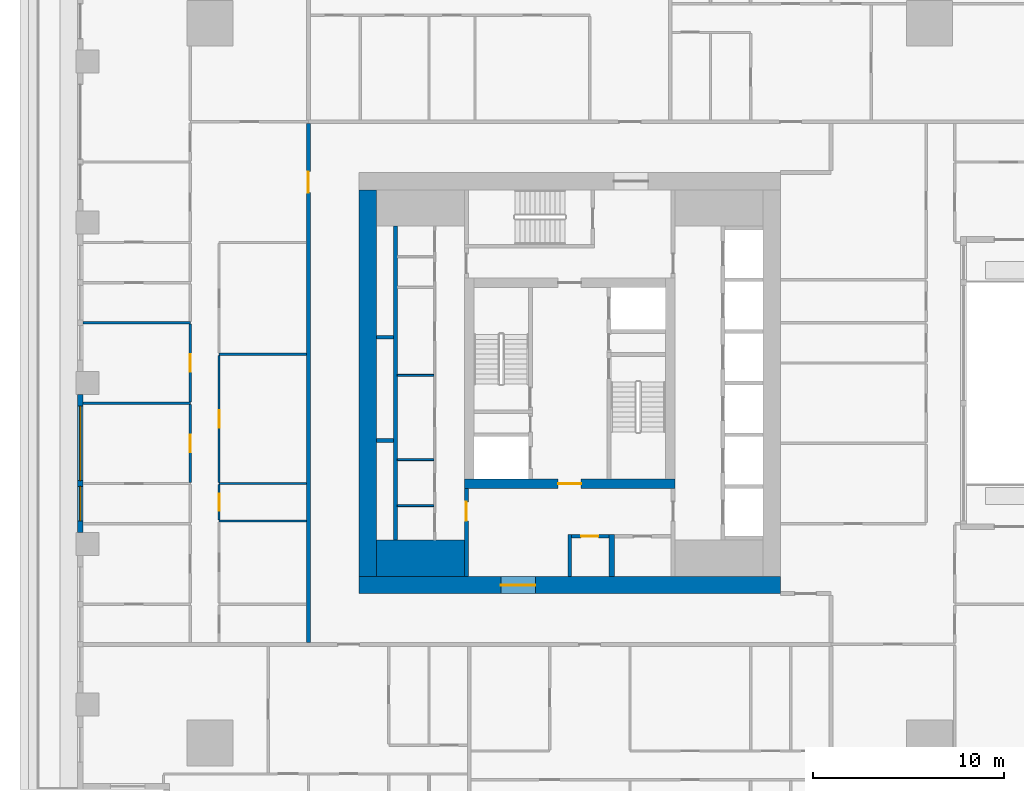
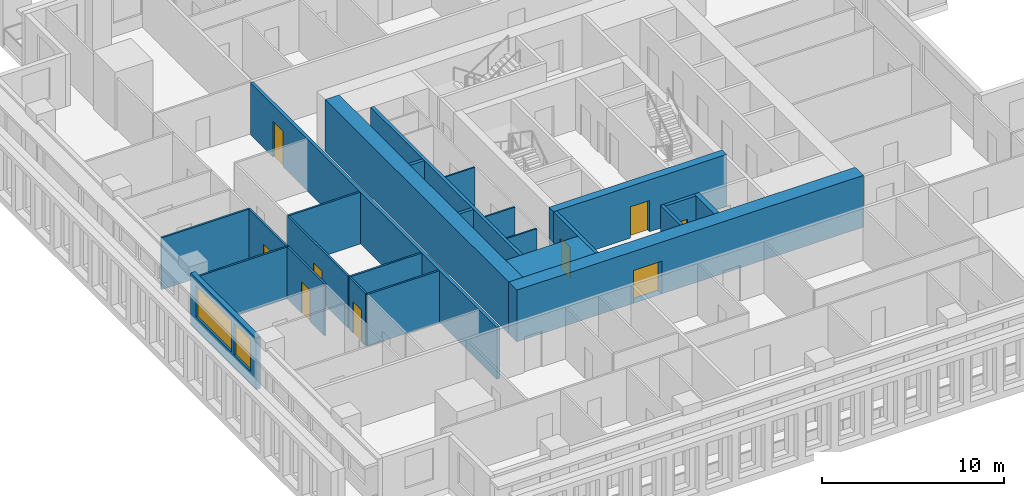
# One storey, part 3 of 16: 25 walls, 9 doors, 2 windows, 11 openings.
"""IFC4 building model written with IfcOpenShell, lengths in metres."""

from ifc_helpers import new_model, si_unit, direction, frame, frame_2d, origin, place, context, subcontext, project, spatial, rectangle, extrude, material, layer, layer_set, type_object, element, fill, save


model = new_model("IFC4")

# Units and contexts
model_context = context("Model", 3, precision=1e-05, world=origin(), true_north=direction((0.0, 1.0)))
body_context = subcontext(model_context, "Body", "Model", "MODEL_VIEW")
ifc_project = project(units=[si_unit("LENGTHUNIT", "METRE"), si_unit("AREAUNIT", "SQUARE_METRE"), si_unit("VOLUMEUNIT", "CUBIC_METRE"), si_unit("PLANEANGLEUNIT", "RADIAN"), si_unit("MASSUNIT", "GRAM", prefix="KILO")], contexts=[model_context])

# Site, building, storey
site_placement = place(None, origin())
site = spatial("IfcSite", under=ifc_project, at=site_placement, CompositionType="ELEMENT")
building_placement = place(site_placement, origin())
building = spatial("IfcBuilding", under=site, at=building_placement, Name="Khepri Terraces", CompositionType="ELEMENT")
storey_placement = place(building_placement, frame((0.0, 0.0, 204.0)))
storey = spatial("IfcBuildingStorey", under=building, at=storey_placement, Name="L48", CompositionType="ELEMENT", Elevation=204.0)

# Walls
ifc_material_1 = material(Name="Concrete C50/60", Category="concrete")
ifc_layer_1 = layer(ifc_material_1, 1.89990234375, Name="Concrete C50/60", Category="concrete")
ifc_layer_set_1 = layer_set([ifc_layer_1], Name="Concrete C50/60")
wall_type_1 = type_object("IfcWallType", Name="Core wall 1900 C50/60", PredefinedType="SHEAR", material=ifc_layer_set_1)
wall_1_placement = place(storey_placement, frame((-10.10009765625, -9.14990234375, 0.0), z_axis=(0.0, 0.0, 1.0), x_axis=(1.0, 0.0, 0.0)))
element("IfcWall", 1, at=wall_1_placement, inside=storey, type_object=wall_type_1, Name="Core wall PR01 L48", PredefinedType="SHEAR", context=body_context, shape_type="SweptSolid", body=[
    extrude(rectangle(XDim=4.60009765625, YDim=1.89990234375, at=frame_2d((2.300048828125, 0.0))), origin(), (0.0, 0.0, 1.0), 3.47998046875),
])
ifc_layer_2 = layer(ifc_material_1, 0.199951171875, Name="Concrete C50/60", Category="concrete")
ifc_layer_set_2 = layer_set([ifc_layer_2], Name="Concrete C50/60")
wall_type_2 = type_object("IfcWallType", Name="Core wall 200 C50/60", PredefinedType="SHEAR", material=ifc_layer_set_2)
wall_2_placement = place(storey_placement, frame((-9.10009765625, -8.199951171875, 0.0), z_axis=(0.0, 0.0, 1.0), x_axis=(0.0, 1.0, 0.0)))
element("IfcWall", 2, at=wall_2_placement, inside=storey, type_object=wall_type_2, Name="Core wall SH01 L48", PredefinedType="SHEAR", context=body_context, shape_type="SweptSolid", body=[
    extrude(rectangle(XDim=16.39990234375, YDim=0.199951171875, at=frame_2d((8.199951171875, 0.0))), origin(), (0.0, 0.0, 1.0), 3.47998046875),
])
for number, where, z_axis, x_axis, name in (
    (3, (-10.10009765625, -3.0, 0.0), (0.0, 0.0, 1.0), (1.0, 0.0, 0.0), "Core wall SH06 L48"),
    (4, (-10.10009765625, 2.39990234375, 0.0), (0.0, 0.0, 1.0), (1.0, 0.0, 0.0), "Core wall SH11 L48"),
):
    element("IfcWall", number, at=place(storey_placement, frame(where, z_axis=z_axis, x_axis=x_axis)), inside=storey, type_object=wall_type_2, Name=name, PredefinedType="SHEAR", context=body_context, shape_type="SweptSolid", body=[
        extrude(rectangle(XDim=0.900146484375, YDim=0.199951171875, at=frame_2d((0.4501953125, 0.0))), origin(), (0.0, 0.0, 1.0), 3.47998046875),
    ])

# Wall, opening, door
ifc_layer_3 = layer(ifc_material_1, 0.5, Name="Concrete C50/60", Category="concrete")
ifc_layer_set_3 = layer_set([ifc_layer_3], Name="Concrete C50/60")
wall_type_3 = type_object("IfcWallType", Name="Core wall 500 C50/60", PredefinedType="SHEAR", material=ifc_layer_set_3)
wall_3_placement = place(storey_placement, frame((-5.5, -5.25, 0.0), z_axis=(0.0, 0.0, 1.0), x_axis=(1.0, 0.0, 0.0)))
wall_3 = element("IfcWall", 5, at=wall_3_placement, inside=storey, type_object=wall_type_3, Name="Core wall BX01 L48", PredefinedType="SHEAR", context=body_context, shape_type="SweptSolid", body=[
    extrude(rectangle(XDim=11.0, YDim=0.5, at=frame_2d((5.5, 0.0))), origin(), (0.0, 0.0, 1.0), 3.47998046875),
])
opening_1_placement = place(wall_3_placement, frame((4.89990234375, 0.0, 0.0)))
opening_1 = element("IfcOpeningElement", 6, at=opening_1_placement, cuts=wall_3, Name="Opening L48-C14", PredefinedType="OPENING", context=body_context, shape_type="SweptSolid", body=[
    extrude(rectangle(XDim=1.199951171875, YDim=2.10009765625, at=frame_2d((0.60009765625, 1.050048828125))), frame((0.0, 0.260009765625, 0.0), z_axis=(0.0, -1.0, 0.0), x_axis=(1.0, 0.0, 0.0)), (0.0, 0.0, 1.0), 0.52001953125),
])
ifc_material_2 = material(Name="Painted steel", Category="steel")
door_type_1 = type_object("IfcDoorType", Name="DR-CORE-FF-LOBBY-1200", OperationType="NOTDEFINED", PredefinedType="DOOR", material=ifc_material_2)
door_1_placement = place(opening_1_placement, origin())
door_1 = element("IfcDoor", 7, at=door_1_placement, inside=storey, type_object=door_type_1, Name="Firefighting lobby door L48-C14", OperationType="SINGLE_SWING_RIGHT", OverallHeight=2.10009765625, OverallWidth=1.199951171875, PredefinedType="DOOR", context=body_context, shape_type="SweptSolid", body=[
    extrude(rectangle(XDim=1.199951171875, YDim=2.10009765625, at=frame_2d((0.60009765625, 1.050048828125))), frame((0.0, 0.02490234375, 0.0), z_axis=(0.0, -1.0, 0.0), x_axis=(1.0, 0.0, 0.0)), (0.0, 0.0, 1.0), 0.050048828125),
])
fill(opening_1, door_1)

ifc_layer_4 = layer(ifc_material_1, 0.89990234375, Name="Concrete C50/60", Category="concrete")
ifc_layer_set_4 = layer_set([ifc_layer_4], Name="Concrete C50/60")
wall_type_4 = type_object("IfcWallType", Name="Core wall 900 C50/60", PredefinedType="SHEAR", material=ifc_layer_set_4)
wall_4_placement = place(storey_placement, frame((-11.0, -10.550048828125, 0.0), z_axis=(0.0, 0.0, 1.0), x_axis=(1.0, 0.0, 0.0)))
wall_4 = element("IfcWall", 8, at=wall_4_placement, inside=storey, type_object=wall_type_4, Name="Core wall OW-S L48", PredefinedType="SHEAR", context=body_context, shape_type="SweptSolid", body=[
    extrude(rectangle(XDim=22.0, YDim=0.89990234375, at=frame_2d((11.0, 0.0))), origin(), (0.0, 0.0, 1.0), 3.47998046875),
])
opening_2_placement = place(wall_4_placement, frame((7.39990234375, 0.0, 0.0)))
opening_2 = element("IfcOpeningElement", 9, at=opening_2_placement, cuts=wall_4, Name="Opening L48-C21", PredefinedType="OPENING", context=body_context, shape_type="SweptSolid", body=[
    extrude(rectangle(XDim=1.800048828125, YDim=2.199951171875, at=frame_2d((0.89990234375, 1.10009765625))), frame((0.0, 0.4599609375, 0.0), z_axis=(0.0, -1.0, 0.0), x_axis=(1.0, 0.0, 0.0)), (0.0, 0.0, 1.0), 0.919921875),
])
door_type_2 = type_object("IfcDoorType", Name="DR-CORE-ENTRANCE-1800", OperationType="NOTDEFINED", PredefinedType="DOOR", material=ifc_material_2)
door_2_placement = place(opening_2_placement, frame((1.800048828125, 0.0, 0.0), z_axis=(0.0, 0.0, 1.0), x_axis=(-1.0, 0.0, 0.0)))
door_2 = element("IfcDoor", 10, at=door_2_placement, inside=storey, type_object=door_type_2, Name="Core entrance door pair L48-C21", OperationType="DOUBLE_DOOR_SINGLE_SWING", OverallHeight=2.199951171875, OverallWidth=1.800048828125, PredefinedType="DOOR", context=body_context, shape_type="SweptSolid", body=[
    extrude(rectangle(XDim=1.800048828125, YDim=2.199951171875, at=frame_2d((0.89990234375, 1.10009765625))), frame((0.0, 0.02490234375, 0.0), z_axis=(0.0, -1.0, 0.0), x_axis=(1.0, 0.0, 0.0)), (0.0, 0.0, 1.0), 0.050048828125),
])
fill(opening_2, door_2)

# Walls
wall_5_placement = place(storey_placement, frame((-10.550048828125, -10.10009765625, 0.0), z_axis=(0.0, 0.0, 1.0), x_axis=(0.0, 1.0, 0.0)))
element("IfcWall", 11, at=wall_5_placement, inside=storey, type_object=wall_type_4, Name="Core wall OW-W L48", PredefinedType="SHEAR", context=body_context, shape_type="SweptSolid", body=[
    extrude(rectangle(XDim=20.2001953125, YDim=0.89990234375, at=frame_2d((10.10009765625, 0.0))), origin(), (0.0, 0.0, 1.0), 3.47998046875),
])
ifc_material_3 = material(Name="Fire-rated gypsum board partition")
ifc_layer_5 = layer(ifc_material_3, 0.10009765625, Name="Fire-rated gypsum board partition")
ifc_layer_set_5 = layer_set([ifc_layer_5], Name="Fire-rated gypsum board partition")
wall_type_5 = type_object("IfcWallType", Name="WL-CORE-PART-100", PredefinedType="PARTITIONING", material=ifc_layer_set_5)
for number, where, z_axis, x_axis, name in (
    (12, (-9.0, -6.39990234375, 0.0), (0.0, 0.0, 1.0), (1.0, 0.0, 0.0), "Core partition PT08 L48"),
    (13, (-9.0, -4.0, 0.0), (0.0, 0.0, 1.0), (1.0, 0.0, 0.0), "Core partition PT09 L48"),
    (14, (-9.0, 0.39990234375, 0.0), (0.0, 0.0, 1.0), (1.0, 0.0, 0.0), "Core partition PT10 L48"),
):
    element("IfcWall", number, at=place(storey_placement, frame(where, z_axis=z_axis, x_axis=x_axis)), inside=storey, type_object=wall_type_5, Name=name, PredefinedType="PARTITIONING", context=body_context, shape_type="SweptSolid", body=[
        extrude(rectangle(XDim=1.89990234375, YDim=0.10009765625, at=frame_2d((0.949951171875, 0.0))), origin(), (0.0, 0.0, 1.0), 3.47998046875),
    ])

# Wall, opening, door
ifc_layer_6 = layer(ifc_material_3, 0.199951171875, Name="Fire-rated gypsum board partition")
ifc_layer_set_6 = layer_set([ifc_layer_6], Name="Fire-rated gypsum board partition")
wall_type_6 = type_object("IfcWallType", Name="WL-CORE-PART-200", PredefinedType="PARTITIONING", material=ifc_layer_set_6)
wall_6_placement = place(storey_placement, frame((-5.39990234375, -10.10009765625, 0.0), z_axis=(0.0, 0.0, 1.0), x_axis=(0.0, 1.0, 0.0)))
wall_6 = element("IfcWall", 15, at=wall_6_placement, inside=storey, type_object=wall_type_6, Name="Core partition PT01 L48", PredefinedType="PARTITIONING", context=body_context, shape_type="SweptSolid", body=[
    extrude(rectangle(XDim=4.60009765625, YDim=0.199951171875, at=frame_2d((2.300048828125, 0.0))), origin(), (0.0, 0.0, 1.0), 3.47998046875),
])
opening_3_placement = place(wall_6_placement, frame((2.89990234375, 0.0, 0.0)))
opening_3 = element("IfcOpeningElement", 16, at=opening_3_placement, cuts=wall_6, Name="Opening L48-C18", PredefinedType="OPENING", context=body_context, shape_type="SweptSolid", body=[
    extrude(rectangle(XDim=1.0, YDim=2.10009765625, at=frame_2d((0.5, 1.050048828125))), frame((0.0, 0.10986328125, 0.0), z_axis=(0.0, -1.0, 0.0), x_axis=(1.0, 0.0, 0.0)), (0.0, 0.0, 1.0), 0.219970703125),
])
door_type_3 = type_object("IfcDoorType", Name="DR-CORE-LOBBY-1000", OperationType="NOTDEFINED", PredefinedType="DOOR", material=ifc_material_2)
door_3_placement = place(opening_3_placement, frame((1.0, 0.0, 0.0), z_axis=(0.0, 0.0, 1.0), x_axis=(-1.0, 0.0, 0.0)))
door_3 = element("IfcDoor", 17, at=door_3_placement, inside=storey, type_object=door_type_3, Name="Lobby door L48-C18", OperationType="SINGLE_SWING_LEFT", OverallHeight=2.10009765625, OverallWidth=1.0, PredefinedType="DOOR", context=body_context, shape_type="SweptSolid", body=[
    extrude(rectangle(XDim=1.0, YDim=2.10009765625, at=frame_2d((0.5, 1.050048828125))), frame((0.0, 0.02490234375, 0.0), z_axis=(0.0, -1.0, 0.0), x_axis=(1.0, 0.0, 0.0)), (0.0, 0.0, 1.0), 0.050048828125),
])
fill(opening_3, door_3)

# Wall
wall_7_placement = place(storey_placement, frame((0.0, -10.10009765625, 0.0), z_axis=(0.0, 0.0, 1.0), x_axis=(0.0, 1.0, 0.0)))
element("IfcWall", 18, at=wall_7_placement, inside=storey, type_object=wall_type_6, Name="Core partition PT02 L48", PredefinedType="PARTITIONING", context=body_context, shape_type="SweptSolid", body=[
    extrude(rectangle(XDim=2.2001953125, YDim=0.199951171875, at=frame_2d((1.10009765625, 0.0))), origin(), (0.0, 0.0, 1.0), 3.47998046875),
])

# Wall, opening, door
wall_8_placement = place(storey_placement, frame((0.10009765625, -8.0, 0.0), z_axis=(0.0, 0.0, 1.0), x_axis=(1.0, 0.0, 0.0)))
wall_8 = element("IfcWall", 19, at=wall_8_placement, inside=storey, type_object=wall_type_6, Name="Core partition PT06 L48", PredefinedType="PARTITIONING", context=body_context, shape_type="SweptSolid", body=[
    extrude(rectangle(XDim=1.949951171875, YDim=0.199951171875, at=frame_2d((0.97509765625, 0.0))), origin(), (0.0, 0.0, 1.0), 3.47998046875),
])
opening_4_placement = place(wall_8_placement, frame((0.5, 0.0, 0.0)))
opening_4 = element("IfcOpeningElement", 20, at=opening_4_placement, cuts=wall_8, Name="Opening L48-C22", PredefinedType="OPENING", context=body_context, shape_type="SweptSolid", body=[
    extrude(rectangle(XDim=0.89990234375, YDim=2.10009765625, at=frame_2d((0.449951171875, 1.050048828125))), frame((0.0, 0.10986328125, 0.0), z_axis=(0.0, -1.0, 0.0), x_axis=(1.0, 0.0, 0.0)), (0.0, 0.0, 1.0), 0.219970703125),
])
door_type_4 = type_object("IfcDoorType", Name="DR-CORE-SERVICE-900", OperationType="NOTDEFINED", PredefinedType="DOOR", material=ifc_material_2)
door_4_placement = place(opening_4_placement, frame((0.89990234375, 0.0, 0.0), z_axis=(0.0, 0.0, 1.0), x_axis=(-1.0, 0.0, 0.0)))
door_4 = element("IfcDoor", 21, at=door_4_placement, inside=storey, type_object=door_type_4, Name="Service room door L48-C22", OperationType="SINGLE_SWING_RIGHT", OverallHeight=2.10009765625, OverallWidth=0.89990234375, PredefinedType="DOOR", context=body_context, shape_type="SweptSolid", body=[
    extrude(rectangle(XDim=0.89990234375, YDim=2.10009765625, at=frame_2d((0.449951171875, 1.050048828125))), frame((0.0, 0.02490234375, 0.0), z_axis=(0.0, -1.0, 0.0), x_axis=(1.0, 0.0, 0.0)), (0.0, 0.0, 1.0), 0.050048828125),
])
fill(opening_4, door_4)

# Wall
ifc_layer_7 = layer(ifc_material_3, 0.300048828125, Name="Fire-rated gypsum board partition")
ifc_layer_set_7 = layer_set([ifc_layer_7], Name="Fire-rated gypsum board partition")
wall_type_7 = type_object("IfcWallType", Name="WL-CORE-PART-300", PredefinedType="PARTITIONING", material=ifc_layer_set_7)
wall_9_placement = place(storey_placement, frame((2.199951171875, -10.10009765625, 0.0), z_axis=(0.0, 0.0, 1.0), x_axis=(0.0, 1.0, 0.0)))
element("IfcWall", 22, at=wall_9_placement, inside=storey, type_object=wall_type_7, Name="Core partition PT03 L48", PredefinedType="PARTITIONING", context=body_context, shape_type="SweptSolid", body=[
    extrude(rectangle(XDim=2.2001953125, YDim=0.300048828125, at=frame_2d((1.10009765625, 0.0))), origin(), (0.0, 0.0, 1.0), 3.47998046875),
])

# Wall, opening, door
ifc_material_4 = material(Name="Fire-rated gypsum plasterboard partition, mineral wool")
ifc_layer_8 = layer(ifc_material_4, 0.199951171875, Name="Fire-rated gypsum plasterboard partition, mineral wool")
ifc_layer_set_8 = layer_set([ifc_layer_8], Name="Fire-rated gypsum plasterboard partition, mineral wool")
wall_type_8 = type_object("IfcWallType", Name="WL-CORR-200", PredefinedType="PARTITIONING", material=ifc_layer_set_8)
wall_10_placement = place(storey_placement, frame((-13.64990234375, -13.550048828125, 0.0), z_axis=(0.0, 0.0, 1.0), x_axis=(0.0, 1.0, 0.0)))
wall_10 = element("IfcWall", 23, at=wall_10_placement, inside=storey, type_object=wall_type_8, Name="Partition P-028 L48", PredefinedType="PARTITIONING", context=body_context, shape_type="SweptSolid", body=[
    extrude(rectangle(XDim=27.10009765625, YDim=0.199951171875, at=frame_2d((13.550048828125, 0.0))), origin(), (0.0, 0.0, 1.0), 3.47998046875),
])
opening_5_placement = place(wall_10_placement, frame((23.5, 0.0, 0.0)))
opening_5 = element("IfcOpeningElement", 24, at=opening_5_placement, cuts=wall_10, Name="Opening D1", PredefinedType="OPENING", context=body_context, shape_type="SweptSolid", body=[
    extrude(rectangle(XDim=1.10009765625, YDim=2.39990234375, at=frame_2d((0.550048828125, 1.199951171875))), frame((0.0, 0.10986328125, 0.0), z_axis=(0.0, -1.0, 0.0), x_axis=(1.0, 0.0, 0.0)), (0.0, 0.0, 1.0), 0.219970703125),
])
ifc_material_5 = material(Name="Solid-core timber door leaf, flat entrance door", Category="wood")
door_type_5 = type_object("IfcDoorType", Name="DR-ENT-1100", OperationType="NOTDEFINED", PredefinedType="DOOR", material=ifc_material_5)
door_5_placement = place(opening_5_placement, origin())
door_5 = element("IfcDoor", 25, at=door_5_placement, inside=storey, type_object=door_type_5, Name="Flat D1 entrance door", OperationType="SINGLE_SWING_RIGHT", OverallHeight=2.39990234375, OverallWidth=1.10009765625, PredefinedType="DOOR", context=body_context, shape_type="SweptSolid", body=[
    extrude(rectangle(XDim=1.10009765625, YDim=2.39990234375, at=frame_2d((0.550048828125, 1.199951171875))), frame((0.0, 0.02490234375, 0.0), z_axis=(0.0, -1.0, 0.0), x_axis=(1.0, 0.0, 0.0)), (0.0, 0.0, 1.0), 0.050048828125),
])
fill(opening_5, door_5)

# Wall, openings, windows
ifc_material_6 = material(Name="Precast concrete C50/60 warm stone", Category="masonry")
ifc_layer_9 = layer(ifc_material_6, 0.300048828125, Name="Precast concrete C50/60 warm stone", Category="masonry")
ifc_layer_set_9 = layer_set([ifc_layer_9], Name="Precast concrete C50/60 warm stone")
wall_type_9 = type_object("IfcWallType", Name="WL-EXT-PRECAST-300", PredefinedType="STANDARD", material=ifc_layer_set_9)
wall_11_placement = place(storey_placement, frame((-25.570068359375, -0.60009765625, 0.0), z_axis=(0.0, 0.0, 1.0), x_axis=(0.0, -1.0, 0.0)))
wall_11 = element("IfcWall", 26, at=wall_11_placement, inside=storey, type_object=wall_type_9, Name="External wall L48 W", PredefinedType="STANDARD", context=body_context, shape_type="SweptSolid", body=[
    extrude(rectangle(XDim=7.199951171875, YDim=0.300048828125, at=frame_2d((3.60009765625, 0.0))), origin(), (0.0, 0.0, 1.0), 3.47998046875),
])
opening_6_placement = place(wall_11_placement, frame((0.60009765625, 0.0, 0.89990234375)))
opening_6 = element("IfcOpeningElement", 27, at=opening_6_placement, cuts=wall_11, Name="Opening W2", PredefinedType="OPENING", context=body_context, shape_type="SweptSolid", body=[
    extrude(rectangle(XDim=3.89990234375, YDim=2.10009765625, at=frame_2d((1.949951171875, 1.050048828125))), frame((0.0, 0.16015625, 0.0), z_axis=(0.0, -1.0, 0.0), x_axis=(1.0, 0.0, 0.0)), (0.0, 0.0, 1.0), 0.320068359375),
])
opening_7_placement = place(wall_11_placement, frame((4.800048828125, 0.0, 0.89990234375)))
opening_7 = element("IfcOpeningElement", 28, at=opening_7_placement, cuts=wall_11, Name="Opening W1", PredefinedType="OPENING", context=body_context, shape_type="SweptSolid", body=[
    extrude(rectangle(XDim=1.800048828125, YDim=2.10009765625, at=frame_2d((0.89990234375, 1.050048828125))), frame((0.0, 0.16015625, 0.0), z_axis=(0.0, -1.0, 0.0), x_axis=(1.0, 0.0, 0.0)), (0.0, 0.0, 1.0), 0.320068359375),
])
ifc_material_7 = material(Name="Clear glass", Category="glass")
window_type_1 = type_object("IfcWindowType", Name="WIN-RES-1800x2100", PartitioningType="SINGLE_PANEL", PredefinedType="WINDOW", material=ifc_material_7)
window_1_placement = place(opening_7_placement, origin())
window_1 = element("IfcWindow", 29, at=window_1_placement, inside=storey, type_object=window_type_1, Name="Window L48 W", OverallHeight=2.10009765625, OverallWidth=1.800048828125, PartitioningType="SINGLE_PANEL", PredefinedType="WINDOW", context=body_context, shape_type="SweptSolid", body=[
    extrude(rectangle(XDim=1.800048828125, YDim=2.10009765625, at=frame_2d((0.89990234375, 1.050048828125))), frame((0.0, 0.030029296875, 0.0), z_axis=(0.0, -1.0, 0.0), x_axis=(1.0, 0.0, 0.0)), (0.0, 0.0, 1.0), 0.06005859375),
])
fill(opening_7, window_1)
window_type_2 = type_object("IfcWindowType", Name="WIN-RES-3900x2100", PartitioningType="SINGLE_PANEL", PredefinedType="WINDOW", material=ifc_material_7)
window_2_placement = place(opening_6_placement, origin())
window_2 = element("IfcWindow", 30, at=window_2_placement, inside=storey, type_object=window_type_2, Name="Window L48 W", OverallHeight=2.10009765625, OverallWidth=3.89990234375, PartitioningType="SINGLE_PANEL", PredefinedType="WINDOW", context=body_context, shape_type="SweptSolid", body=[
    extrude(rectangle(XDim=3.89990234375, YDim=2.10009765625, at=frame_2d((1.949951171875, 1.050048828125))), frame((0.0, 0.030029296875, 0.0), z_axis=(0.0, -1.0, 0.0), x_axis=(1.0, 0.0, 0.0)), (0.0, 0.0, 1.0), 0.06005859375),
])
fill(opening_6, window_2)

# Wall
ifc_material_8 = material(Name="Gypsum plasterboard partition")
ifc_layer_10 = layer(ifc_material_8, 0.1201171875, Name="Gypsum plasterboard partition")
ifc_layer_set_10 = layer_set([ifc_layer_10], Name="Gypsum plasterboard partition")
wall_type_10 = type_object("IfcWallType", Name="WL-PART-120", PredefinedType="PARTITIONING", material=ifc_layer_set_10)
wall_12_placement = place(storey_placement, frame((-18.320068359375, -7.199951171875, 0.0), z_axis=(0.0, 0.0, 1.0), x_axis=(1.0, 0.0, 0.0)))
element("IfcWall", 31, at=wall_12_placement, inside=storey, type_object=wall_type_10, Name="Partition P-042 L48", PredefinedType="PARTITIONING", context=body_context, shape_type="SweptSolid", body=[
    extrude(rectangle(XDim=4.570068359375, YDim=0.1201171875, at=frame_2d((2.28515625, 0.0))), origin(), (0.0, 0.0, 1.0), 3.47998046875),
])

# Wall, opening, door
wall_13_placement = place(storey_placement, frame((-18.320068359375, -7.139892578125, 0.0), z_axis=(0.0, 0.0, 1.0), x_axis=(0.0, 1.0, 0.0)))
wall_13 = element("IfcWall", 32, at=wall_13_placement, inside=storey, type_object=wall_type_10, Name="Partition P-043 L48", PredefinedType="PARTITIONING", context=body_context, shape_type="SweptSolid", body=[
    extrude(rectangle(XDim=1.829833984375, YDim=0.1201171875, at=frame_2d((0.9150390625, 0.0))), origin(), (0.0, 0.0, 1.0), 3.47998046875),
])
opening_8_placement = place(wall_13_placement, frame((0.465087890625, 0.0, 0.0)))
opening_8 = element("IfcOpeningElement", 33, at=opening_8_placement, cuts=wall_13, Name="Opening D4", PredefinedType="OPENING", context=body_context, shape_type="SweptSolid", body=[
    extrude(rectangle(XDim=0.89990234375, YDim=2.10009765625, at=frame_2d((0.449951171875, 1.050048828125))), frame((0.0, 0.070068359375, 0.0), z_axis=(0.0, -1.0, 0.0), x_axis=(1.0, 0.0, 0.0)), (0.0, 0.0, 1.0), 0.14013671875),
])
ifc_material_9 = material(Name="Timber door leaf, moisture resistant", Category="wood")
door_type_6 = type_object("IfcDoorType", Name="DR-WET-900", OperationType="NOTDEFINED", PredefinedType="DOOR", material=ifc_material_9)
door_6_placement = place(opening_8_placement, frame((0.89990234375, 0.0, 0.0), z_axis=(0.0, 0.0, 1.0), x_axis=(-1.0, 0.0, 0.0)))
door_6 = element("IfcDoor", 34, at=door_6_placement, inside=storey, type_object=door_type_6, Name="Door Powder Room", OperationType="SINGLE_SWING_LEFT", OverallHeight=2.10009765625, OverallWidth=0.89990234375, PredefinedType="DOOR", context=body_context, shape_type="SweptSolid", body=[
    extrude(rectangle(XDim=0.89990234375, YDim=2.10009765625, at=frame_2d((0.449951171875, 1.050048828125))), frame((0.0, 0.02490234375, 0.0), z_axis=(0.0, -1.0, 0.0), x_axis=(1.0, 0.0, 0.0)), (0.0, 0.0, 1.0), 0.050048828125),
])
fill(opening_8, door_6)

# Wall
wall_14_placement = place(storey_placement, frame((-18.320068359375, -5.25, 0.0), z_axis=(0.0, 0.0, 1.0), x_axis=(1.0, 0.0, 0.0)))
element("IfcWall", 35, at=wall_14_placement, inside=storey, type_object=wall_type_10, Name="Partition P-045 L48", PredefinedType="PARTITIONING", context=body_context, shape_type="SweptSolid", body=[
    extrude(rectangle(XDim=4.570068359375, YDim=0.1201171875, at=frame_2d((2.28515625, 0.0))), origin(), (0.0, 0.0, 1.0), 3.47998046875),
])

# Wall, opening, door
wall_15_placement = place(storey_placement, frame((-19.820068359375, -5.18994140625, 0.0), z_axis=(0.0, 0.0, 1.0), x_axis=(0.0, 1.0, 0.0)))
wall_15 = element("IfcWall", 36, at=wall_15_placement, inside=storey, type_object=wall_type_10, Name="Partition P-046 L48", PredefinedType="PARTITIONING", context=body_context, shape_type="SweptSolid", body=[
    extrude(rectangle(XDim=4.079833984375, YDim=0.1201171875, at=frame_2d((2.0400390625, 0.0))), origin(), (0.0, 0.0, 1.0), 3.47998046875),
])
opening_9_placement = place(wall_15_placement, frame((1.590087890625, 0.0, 0.0)))
opening_9 = element("IfcOpeningElement", 37, at=opening_9_placement, cuts=wall_15, Name="Opening D3", PredefinedType="OPENING", context=body_context, shape_type="SweptSolid", body=[
    extrude(rectangle(XDim=0.89990234375, YDim=2.10009765625, at=frame_2d((0.449951171875, 1.050048828125))), frame((0.0, 0.070068359375, 0.0), z_axis=(0.0, -1.0, 0.0), x_axis=(1.0, 0.0, 0.0)), (0.0, 0.0, 1.0), 0.14013671875),
])
ifc_material_10 = material(Name="Timber door leaf", Category="wood")
door_type_7 = type_object("IfcDoorType", Name="DR-INT-900", OperationType="NOTDEFINED", PredefinedType="DOOR", material=ifc_material_10)
door_7_placement = place(opening_9_placement, origin())
door_7 = element("IfcDoor", 38, at=door_7_placement, inside=storey, type_object=door_type_7, Name="Door Bedroom", OperationType="SINGLE_SWING_RIGHT", OverallHeight=2.10009765625, OverallWidth=0.89990234375, PredefinedType="DOOR", context=body_context, shape_type="SweptSolid", body=[
    extrude(rectangle(XDim=0.89990234375, YDim=2.10009765625, at=frame_2d((0.449951171875, 1.050048828125))), frame((0.0, 0.02490234375, 0.0), z_axis=(0.0, -1.0, 0.0), x_axis=(1.0, 0.0, 0.0)), (0.0, 0.0, 1.0), 0.050048828125),
])
fill(opening_9, door_7)

wall_16_placement = place(storey_placement, frame((-18.320068359375, -5.18994140625, 0.0), z_axis=(0.0, 0.0, 1.0), x_axis=(0.0, 1.0, 0.0)))
wall_16 = element("IfcWall", 39, at=wall_16_placement, inside=storey, type_object=wall_type_10, Name="Partition P-047 L48", PredefinedType="PARTITIONING", context=body_context, shape_type="SweptSolid", body=[
    extrude(rectangle(XDim=6.6298828125, YDim=0.1201171875, at=frame_2d((3.31494140625, 0.0))), origin(), (0.0, 0.0, 1.0), 3.47998046875),
])
opening_10_placement = place(wall_16_placement, frame((2.864990234375, 0.0, 0.0)))
opening_10 = element("IfcOpeningElement", 40, at=opening_10_placement, cuts=wall_16, Name="Opening D3", PredefinedType="OPENING", context=body_context, shape_type="SweptSolid", body=[
    extrude(rectangle(XDim=0.89990234375, YDim=2.10009765625, at=frame_2d((0.449951171875, 1.050048828125))), frame((0.0, 0.070068359375, 0.0), z_axis=(0.0, -1.0, 0.0), x_axis=(1.0, 0.0, 0.0)), (0.0, 0.0, 1.0), 0.14013671875),
])
door_8_placement = place(opening_10_placement, frame((0.89990234375, 0.0, 0.0), z_axis=(0.0, 0.0, 1.0), x_axis=(-1.0, 0.0, 0.0)))
door_8 = element("IfcDoor", 41, at=door_8_placement, inside=storey, type_object=door_type_7, Name="Door Staff Bedroom", OperationType="SINGLE_SWING_LEFT", OverallHeight=2.10009765625, OverallWidth=0.89990234375, PredefinedType="DOOR", context=body_context, shape_type="SweptSolid", body=[
    extrude(rectangle(XDim=0.89990234375, YDim=2.10009765625, at=frame_2d((0.449951171875, 1.050048828125))), frame((0.0, 0.02490234375, 0.0), z_axis=(0.0, -1.0, 0.0), x_axis=(1.0, 0.0, 0.0)), (0.0, 0.0, 1.0), 0.050048828125),
])
fill(opening_10, door_8)

# Wall
wall_17_placement = place(storey_placement, frame((-25.419921875, -1.050048828125, 0.0), z_axis=(0.0, 0.0, 1.0), x_axis=(1.0, 0.0, 0.0)))
element("IfcWall", 42, at=wall_17_placement, inside=storey, type_object=wall_type_10, Name="Partition P-050 L48", PredefinedType="PARTITIONING", context=body_context, shape_type="SweptSolid", body=[
    extrude(rectangle(XDim=5.599853515625, YDim=0.1201171875, at=frame_2d((2.7998046875, 0.0))), origin(), (0.0, 0.0, 1.0), 3.47998046875),
])

# Wall, opening, door
wall_18_placement = place(storey_placement, frame((-19.820068359375, -0.989990234375, 0.0), z_axis=(0.0, 0.0, 1.0), x_axis=(0.0, 1.0, 0.0)))
wall_18 = element("IfcWall", 43, at=wall_18_placement, inside=storey, type_object=wall_type_10, Name="Partition P-051 L48", PredefinedType="PARTITIONING", context=body_context, shape_type="SweptSolid", body=[
    extrude(rectangle(XDim=4.080078125, YDim=0.1201171875, at=frame_2d((2.0400390625, 0.0))), origin(), (0.0, 0.0, 1.0), 3.47998046875),
])
opening_11_placement = place(wall_18_placement, frame((1.590087890625, 0.0, 0.0)))
opening_11 = element("IfcOpeningElement", 44, at=opening_11_placement, cuts=wall_18, Name="Opening D3", PredefinedType="OPENING", context=body_context, shape_type="SweptSolid", body=[
    extrude(rectangle(XDim=0.89990234375, YDim=2.10009765625, at=frame_2d((0.449951171875, 1.050048828125))), frame((0.0, 0.070068359375, 0.0), z_axis=(0.0, -1.0, 0.0), x_axis=(1.0, 0.0, 0.0)), (0.0, 0.0, 1.0), 0.14013671875),
])
door_9_placement = place(opening_11_placement, origin())
door_9 = element("IfcDoor", 45, at=door_9_placement, inside=storey, type_object=door_type_7, Name="Door Home Office", OperationType="SINGLE_SWING_RIGHT", OverallHeight=2.10009765625, OverallWidth=0.89990234375, PredefinedType="DOOR", context=body_context, shape_type="SweptSolid", body=[
    extrude(rectangle(XDim=0.89990234375, YDim=2.10009765625, at=frame_2d((0.449951171875, 1.050048828125))), frame((0.0, 0.02490234375, 0.0), z_axis=(0.0, -1.0, 0.0), x_axis=(1.0, 0.0, 0.0)), (0.0, 0.0, 1.0), 0.050048828125),
])
fill(opening_11, door_9)

# Walls
wall_19_placement = place(storey_placement, frame((-18.320068359375, 1.5, 0.0), z_axis=(0.0, 0.0, 1.0), x_axis=(1.0, 0.0, 0.0)))
element("IfcWall", 46, at=wall_19_placement, inside=storey, type_object=wall_type_10, Name="Partition P-054 L48", PredefinedType="PARTITIONING", context=body_context, shape_type="SweptSolid", body=[
    extrude(rectangle(XDim=4.570068359375, YDim=0.1201171875, at=frame_2d((2.28515625, 0.0))), origin(), (0.0, 0.0, 1.0), 3.47998046875),
])
wall_20_placement = place(storey_placement, frame((-25.419921875, 3.14990234375, 0.0), z_axis=(0.0, 0.0, 1.0), x_axis=(1.0, 0.0, 0.0)))
element("IfcWall", 47, at=wall_20_placement, inside=storey, type_object=wall_type_10, Name="Partition P-056 L48", PredefinedType="PARTITIONING", context=body_context, shape_type="SweptSolid", body=[
    extrude(rectangle(XDim=5.599853515625, YDim=0.1201171875, at=frame_2d((2.7998046875, 0.0))), origin(), (0.0, 0.0, 1.0), 3.47998046875),
])

save(model, "model.ifc")
